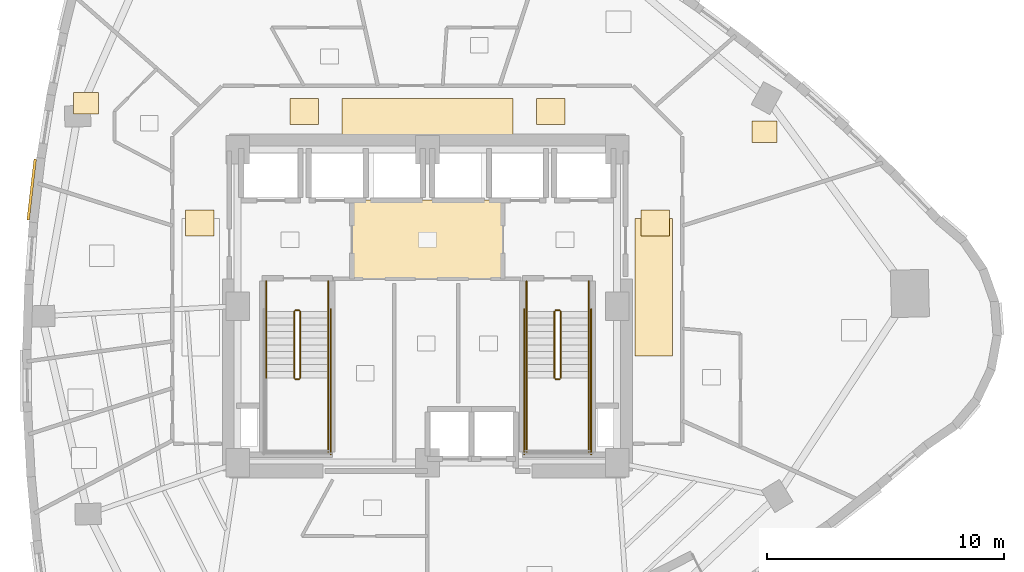
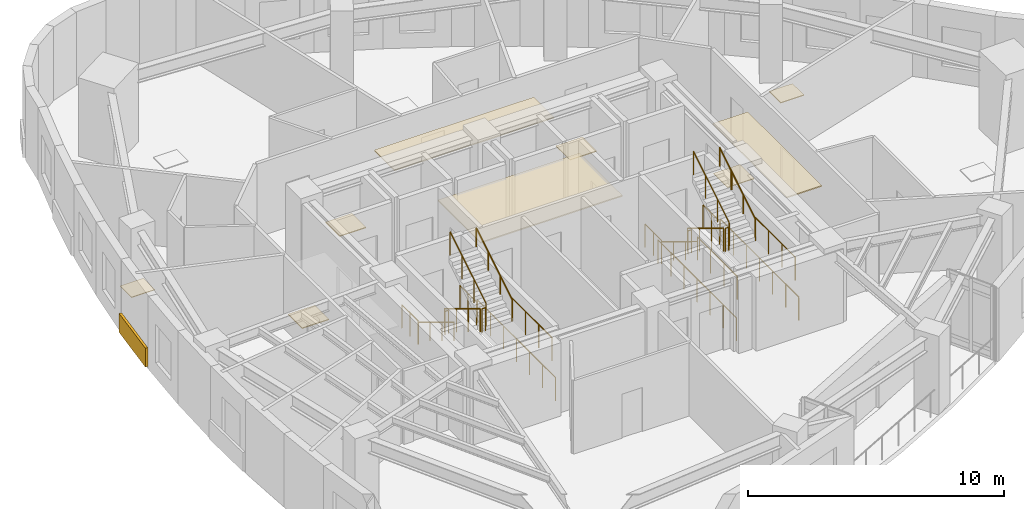
# One storey, part 10 of 11: 22 railings, 10 coverings.
"""IFC4 building model written with IfcOpenShell, lengths in metres."""

from ifc_helpers import new_model, si_unit, direction, frame, origin, origin_2d, place, context, subcontext, project, spatial, rectangle, circle, extrude, material, layer, layer_set, type_object, element, save


model = new_model("IFC4")

# Units and contexts
model_context = context("Model", 3, precision=1e-05, world=origin(), true_north=direction((0.0, 1.0)))
body_context = subcontext(model_context, "Body", "Model", "MODEL_VIEW")
ifc_project = project(units=[si_unit("LENGTHUNIT", "METRE"), si_unit("AREAUNIT", "SQUARE_METRE"), si_unit("VOLUMEUNIT", "CUBIC_METRE"), si_unit("PLANEANGLEUNIT", "RADIAN"), si_unit("MASSUNIT", "GRAM", prefix="KILO")], contexts=[model_context])

# Site, building, storey
site_placement = place(None, origin())
site = spatial("IfcSite", under=ifc_project, at=site_placement, CompositionType="ELEMENT")
building_placement = place(site_placement, origin())
building = spatial("IfcBuilding", under=site, at=building_placement, Name="Ndelora Gate Hotel", CompositionType="ELEMENT")
storey_placement = place(building_placement, frame((0.0, 0.0, 116.0)))
storey = spatial("IfcBuildingStorey", under=building, at=storey_placement, Name="L28", CompositionType="ELEMENT", Elevation=116.0)

# Coverings
ifc_material_1 = material(Name="Perforated Acoustic Gypsum Board", Category="gypsum")
ifc_layer_1 = layer(ifc_material_1, 0.054931640625)
ifc_layer_set_1 = layer_set([ifc_layer_1], Name="Perforated Acoustic Gypsum Board")
covering_type_1 = type_object("IfcCoveringType", Name="COV-CEIL-AC60", PredefinedType="CEILING", material=ifc_layer_set_1)
covering_1_placement = place(storey_placement, frame((0.0, 2.800048828125, 2.72265625), z_axis=(0.0, 0.0, 1.0), x_axis=(1.0, 0.0, 0.0)))
element("IfcCovering", 1, at=covering_1_placement, inside=storey, type_object=covering_type_1, Name="L28 Lift Lobby Acoustic Ceiling", PredefinedType="CEILING", context=body_context, shape_type="SweptSolid", body=[
    extrude(rectangle(XDim=6.39990234375, YDim=3.340087890625, at=origin_2d()), origin(), (0.0, 0.0, 1.0), 0.054931640625),
])
covering_2_placement = place(storey_placement, frame((0.0, 7.9599609375, 2.65234375), z_axis=(0.0, 0.0, 1.0), x_axis=(1.0, 0.0, 0.0)))
element("IfcCovering", 2, at=covering_2_placement, inside=storey, type_object=covering_type_1, Name="L28 Guest Corridor Acoustic Ceiling N", PredefinedType="CEILING", context=body_context, shape_type="SweptSolid", body=[
    extrude(rectangle(XDim=7.199951171875, YDim=1.580078125, at=origin_2d()), origin(), (0.0, 0.0, 1.0), 0.054931640625),
])
covering_3_placement = place(storey_placement, frame((9.550048828125, 0.800048828125, 2.65234375), z_axis=(0.0, 0.0, 1.0), x_axis=(1.0, 0.0, 0.0)))
element("IfcCovering", 3, at=covering_3_placement, inside=storey, type_object=covering_type_1, Name="L28 Guest Corridor Acoustic Ceiling E", PredefinedType="CEILING", context=body_context, shape_type="SweptSolid", body=[
    extrude(rectangle(XDim=1.580078125, YDim=5.800048828125, at=origin_2d()), origin(), (0.0, 0.0, 1.0), 0.054931640625),
])
ifc_material_2 = material(Name="Terracotta Fired Clay Brick Slip Cladding", Category="masonry")
ifc_layer_2 = layer(ifc_material_2, 0.110107421875)
ifc_layer_set_2 = layer_set([ifc_layer_2], Name="Terracotta Fired Clay Brick Slip Cladding")
covering_type_2 = type_object("IfcCoveringType", Name="COV-CLAD-BRK", PredefinedType="CLADDING", material=ifc_layer_set_2)
covering_4_placement = place(storey_placement, frame((-16.6865234375, 4.913330078125, 0.10009765625), z_axis=(0.0, 0.0, 1.0), x_axis=(0.115803987891, 0.993272085779, 0.0)))
element("IfcCovering", 4, at=covering_4_placement, inside=storey, type_object=covering_type_2, Name="L28 Rounded-Corner Brick Cladding Band 13", PredefinedType="CLADDING", context=body_context, shape_type="SweptSolid", body=[
    extrude(rectangle(XDim=2.583984375, YDim=0.110107421875, at=origin_2d()), origin(), (0.0, 0.0, 1.0), 0.89990234375),
])
ifc_material_3 = material(Name="Engineered Highland Oak Parquet", Category="wood")
ifc_layer_3 = layer(ifc_material_3, 0.030029296875)
ifc_layer_set_3 = layer_set([ifc_layer_3], Name="Engineered Highland Oak Parquet")
covering_type_3 = type_object("IfcCoveringType", Name="COV-FLR-PARQ", PredefinedType="FLOORING", material=ifc_layer_set_3)
for number, where, z_axis, x_axis, name in (
    (5, (14.206787109375, 7.356689453125, 0.0), (0.0, 0.0, 1.0), (1.0, 0.0, 0.0), "L28 Executive Study Office Oak Parquet Flooring"),
    (6, (-14.39990234375, 8.55810546875, 0.0), (0.0, 0.0, 1.0), (1.0, 0.0, 0.0), "L28 Club Twin Guest Room 3105 Oak Parquet Flooring"),
):
    element("IfcCovering", number, at=place(storey_placement, frame(where, z_axis=z_axis, x_axis=x_axis)), inside=storey, type_object=covering_type_3, Name=name, PredefinedType="FLOORING", context=body_context, shape_type="SweptSolid", body=[
        extrude(rectangle(XDim=1.050048828125, YDim=0.89990234375, at=origin_2d()), origin(), (0.0, 0.0, 1.0), 0.030029296875),
    ])
ifc_material_4 = material(Name="Polished Highland Stone Terrazzo", Category="masonry")
ifc_layer_4 = layer(ifc_material_4, 0.034912109375)
ifc_layer_set_4 = layer_set([ifc_layer_4], Name="Polished Highland Stone Terrazzo")
covering_type_4 = type_object("IfcCoveringType", Name="COV-FLR-TERZ", PredefinedType="FLOORING", material=ifc_layer_set_4)
for number, where, z_axis, x_axis, name in (
    (7, (-5.199951171875, 8.199951171875, 0.0), (0.0, 0.0, 1.0), (1.0, 0.0, 0.0), "L28 Corridor Threshold Terrazzo Inlay NW"),
    (8, (5.199951171875, 8.199951171875, 0.0), (0.0, 0.0, 1.0), (1.0, 0.0, 0.0), "L28 Corridor Threshold Terrazzo Inlay NE"),
    (9, (-9.60009765625, 3.5, 0.0), (0.0, 0.0, 1.0), (1.0, 0.0, 0.0), "L28 Corridor Threshold Terrazzo Inlay W"),
    (10, (9.60009765625, 3.5, 0.0), (0.0, 0.0, 1.0), (1.0, 0.0, 0.0), "L28 Corridor Threshold Terrazzo Inlay E"),
):
    element("IfcCovering", number, at=place(storey_placement, frame(where, z_axis=z_axis, x_axis=x_axis)), inside=storey, type_object=covering_type_4, Name=name, PredefinedType="FLOORING", context=body_context, shape_type="SweptSolid", body=[
        extrude(rectangle(XDim=1.199951171875, YDim=1.10009765625, at=origin_2d()), origin(), (0.0, 0.0, 1.0), 0.034912109375),
    ])

# Railings
ifc_material_5 = material(Name="Painted Galvanized Steel Balustrade", Category="steel")
ifc_layer_5 = layer(ifc_material_5, 0.06005859375)
ifc_layer_set_5 = layer_set([ifc_layer_5], Name="Painted Galvanized Steel Balustrade")
railing_type_1 = type_object("IfcRailingType", Name="RL-STAIR-GD", PredefinedType="GUARDRAIL", material=ifc_layer_set_5)
railing_1_placement = place(storey_placement, frame((-5.6201171875, -0.22998046875, 0.17041015625)))
element("IfcRailing", 11, at=railing_1_placement, inside=storey, type_object=railing_type_1, Name="L28 ST4 stair guard 1", PredefinedType="GUARDRAIL", context=body_context, shape_type="SweptSolid", body=[
    extrude(circle(Radius=0.02392578125, at=origin_2d()), frame((0.0, 0.0, 1.10595703125), z_axis=(0.0, -0.854169791009, 0.51999420009), x_axis=(1.0, 0.0, 0.0)), (0.0, 0.0, 1.0), 3.278076171875),
    extrude(circle(Radius=0.02099609375, at=origin_2d()), origin(), (0.0, 0.0, 1.0), 1.081787109375),
    extrude(circle(Radius=0.02099609375, at=origin_2d()), frame((0.0, -0.933349609375, 0.568115234375)), (0.0, 0.0, 1.0), 1.081787109375),
    extrude(circle(Radius=0.02099609375, at=origin_2d()), frame((0.0, -1.86669921875, 1.136474609375)), (0.0, 0.0, 1.0), 1.081787109375),
    extrude(circle(Radius=0.02099609375, at=origin_2d()), frame((0.0, -2.800048828125, 1.70458984375)), (0.0, 0.0, 1.0), 1.081787109375),
])
railing_2_placement = place(storey_placement, frame((-5.570068359375, -3.080078125, 1.875)))
element("IfcRailing", 12, at=railing_2_placement, inside=storey, type_object=railing_type_1, Name="L28 ST4 stair guard 2", PredefinedType="GUARDRAIL", context=body_context, shape_type="SweptSolid", body=[
    extrude(circle(Radius=0.02392578125, at=origin_2d()), frame((0.0, 0.0, 1.10595703125), z_axis=(1.0, 0.0, 0.0), x_axis=(0.0, 1.0, 0.0)), (0.0, 0.0, 1.0), 0.16015625),
    extrude(circle(Radius=0.02099609375, at=origin_2d()), origin(), (0.0, 0.0, 1.0), 1.081787109375),
    extrude(circle(Radius=0.02099609375, at=origin_2d()), frame((0.16015625, 0.0, 0.0)), (0.0, 0.0, 1.0), 1.081787109375),
])
railing_3_placement = place(storey_placement, frame((-4.179931640625, -3.030029296875, 1.875)))
element("IfcRailing", 13, at=railing_3_placement, inside=storey, type_object=railing_type_1, Name="L28 ST4 stair guard 4", PredefinedType="GUARDRAIL", context=body_context, shape_type="SweptSolid", body=[
    extrude(circle(Radius=0.02392578125, at=origin_2d()), frame((0.0, 0.0, 1.10595703125), z_axis=(0.0, -1.0, 0.0), x_axis=(1.0, 0.0, 0.0)), (0.0, 0.0, 1.0), 3.119873046875),
    extrude(circle(Radius=0.02099609375, at=origin_2d()), origin(), (0.0, 0.0, 1.0), 1.081787109375),
    extrude(circle(Radius=0.02099609375, at=origin_2d()), frame((0.0, -1.0400390625, 0.0)), (0.0, 0.0, 1.0), 1.081787109375),
    extrude(circle(Radius=0.02099609375, at=origin_2d()), frame((0.0, -2.079833984375, 0.0)), (0.0, 0.0, 1.0), 1.081787109375),
    extrude(circle(Radius=0.02099609375, at=origin_2d()), frame((0.0, -3.119873046875, 0.0)), (0.0, 0.0, 1.0), 1.081787109375),
])
railing_4_placement = place(storey_placement, frame((-5.360107421875, -3.030029296875, 2.04541015625)))
element("IfcRailing", 14, at=railing_4_placement, inside=storey, type_object=railing_type_1, Name="L28 ST4 stair guard 6", PredefinedType="GUARDRAIL", context=body_context, shape_type="SweptSolid", body=[
    extrude(circle(Radius=0.02392578125, at=origin_2d()), frame((0.0, 0.0, 1.10595703125), z_axis=(0.0, 0.854169791009, 0.51999420009), x_axis=(-1.0, 0.0, 0.0)), (0.0, 0.0, 1.0), 3.278076171875),
    extrude(circle(Radius=0.02099609375, at=origin_2d()), origin(), (0.0, 0.0, 1.0), 1.081787109375),
    extrude(circle(Radius=0.02099609375, at=origin_2d()), frame((0.0, 0.933349609375, 0.568115234375)), (0.0, 0.0, 1.0), 1.081787109375),
    extrude(circle(Radius=0.02099609375, at=origin_2d()), frame((0.0, 1.86669921875, 1.136474609375)), (0.0, 0.0, 1.0), 1.081787109375),
    extrude(circle(Radius=0.02099609375, at=origin_2d()), frame((0.0, 2.800048828125, 1.70458984375)), (0.0, 0.0, 1.0), 1.081787109375),
])
railing_5_placement = place(storey_placement, frame((-5.570068359375, -0.179931640625, 0.0)))
element("IfcRailing", 15, at=railing_5_placement, inside=storey, type_object=railing_type_1, Name="L28 ST4 stair guard 7", PredefinedType="GUARDRAIL", context=body_context, shape_type="SweptSolid", body=[
    extrude(circle(Radius=0.02392578125, at=origin_2d()), frame((0.0, 0.0, 1.10595703125), z_axis=(1.0, 0.0, 0.0), x_axis=(0.0, 1.0, 0.0)), (0.0, 0.0, 1.0), 0.16015625),
    extrude(circle(Radius=0.02099609375, at=origin_2d()), origin(), (0.0, 0.0, 1.0), 1.081787109375),
    extrude(circle(Radius=0.02099609375, at=origin_2d()), frame((0.16015625, 0.0, 0.0)), (0.0, 0.0, 1.0), 1.081787109375),
])
for number, where, name in (
    (16, (-6.800048828125, 1.050048828125, 0.0), "L28 ST4 stair guard 8"),
    (17, (-4.179931640625, 1.050048828125, 0.0), "L28 ST4 stair guard 9"),
):
    element("IfcRailing", number, at=place(storey_placement, frame(where)), inside=storey, type_object=railing_type_1, Name=name, PredefinedType="GUARDRAIL", context=body_context, shape_type="SweptSolid", body=[
        extrude(circle(Radius=0.02392578125, at=origin_2d()), frame((0.0, 0.0, 1.10595703125), z_axis=(0.0, -1.0, 0.0), x_axis=(1.0, 0.0, 0.0)), (0.0, 0.0, 1.0), 1.280029296875),
        extrude(circle(Radius=0.02099609375, at=origin_2d()), origin(), (0.0, 0.0, 1.0), 1.081787109375),
        extrude(circle(Radius=0.02099609375, at=origin_2d()), frame((0.0, -0.64013671875, 0.0)), (0.0, 0.0, 1.0), 1.081787109375),
        extrude(circle(Radius=0.02099609375, at=origin_2d()), frame((0.0, -1.280029296875, 0.0)), (0.0, 0.0, 1.0), 1.081787109375),
    ])
railing_6_placement = place(storey_placement, frame((-4.080078125, -0.1298828125, 0.0)))
element("IfcRailing", 18, at=railing_6_placement, inside=storey, type_object=railing_type_1, Name="L28 ST4 stair guard 11", PredefinedType="GUARDRAIL", context=body_context, shape_type="SweptSolid", body=[
    extrude(circle(Radius=0.02392578125, at=origin_2d()), frame((0.0, 0.0, 1.10595703125), z_axis=(0.0, -1.0, 0.0), x_axis=(1.0, 0.0, 0.0)), (0.0, 0.0, 1.0), 6.1201171875),
    extrude(circle(Radius=0.02099609375, at=origin_2d()), origin(), (0.0, 0.0, 1.0), 1.081787109375),
    extrude(circle(Radius=0.02099609375, at=origin_2d()), frame((0.0, -1.02001953125, 0.0)), (0.0, 0.0, 1.0), 1.081787109375),
    extrude(circle(Radius=0.02099609375, at=origin_2d()), frame((0.0, -2.0400390625, 0.0)), (0.0, 0.0, 1.0), 1.081787109375),
    extrude(circle(Radius=0.02099609375, at=origin_2d()), frame((0.0, -3.06005859375, 0.0)), (0.0, 0.0, 1.0), 1.081787109375),
    extrude(circle(Radius=0.02099609375, at=origin_2d()), frame((0.0, -4.080078125, 0.0)), (0.0, 0.0, 1.0), 1.081787109375),
    extrude(circle(Radius=0.02099609375, at=origin_2d()), frame((0.0, -5.10009765625, 0.0)), (0.0, 0.0, 1.0), 1.081787109375),
    extrude(circle(Radius=0.02099609375, at=origin_2d()), frame((0.0, -6.1201171875, 0.0)), (0.0, 0.0, 1.0), 1.081787109375),
])
railing_7_placement = place(storey_placement, frame((5.360107421875, -0.22998046875, 0.17041015625)))
element("IfcRailing", 19, at=railing_7_placement, inside=storey, type_object=railing_type_1, Name="L28 ST5 stair guard 1", PredefinedType="GUARDRAIL", context=body_context, shape_type="SweptSolid", body=[
    extrude(circle(Radius=0.02392578125, at=origin_2d()), frame((0.0, 0.0, 1.10595703125), z_axis=(0.0, -0.854169791009, 0.51999420009), x_axis=(1.0, 0.0, 0.0)), (0.0, 0.0, 1.0), 3.278076171875),
    extrude(circle(Radius=0.02099609375, at=origin_2d()), origin(), (0.0, 0.0, 1.0), 1.081787109375),
    extrude(circle(Radius=0.02099609375, at=origin_2d()), frame((0.0, -0.933349609375, 0.568115234375)), (0.0, 0.0, 1.0), 1.081787109375),
    extrude(circle(Radius=0.02099609375, at=origin_2d()), frame((0.0, -1.86669921875, 1.136474609375)), (0.0, 0.0, 1.0), 1.081787109375),
    extrude(circle(Radius=0.02099609375, at=origin_2d()), frame((0.0, -2.800048828125, 1.70458984375)), (0.0, 0.0, 1.0), 1.081787109375),
])
railing_8_placement = place(storey_placement, frame((5.409912109375, -3.080078125, 1.875)))
element("IfcRailing", 20, at=railing_8_placement, inside=storey, type_object=railing_type_1, Name="L28 ST5 stair guard 2", PredefinedType="GUARDRAIL", context=body_context, shape_type="SweptSolid", body=[
    extrude(circle(Radius=0.02392578125, at=origin_2d()), frame((0.0, 0.0, 1.10595703125), z_axis=(1.0, 0.0, 0.0), x_axis=(0.0, 1.0, 0.0)), (0.0, 0.0, 1.0), 0.16015625),
    extrude(circle(Radius=0.02099609375, at=origin_2d()), origin(), (0.0, 0.0, 1.0), 1.081787109375),
    extrude(circle(Radius=0.02099609375, at=origin_2d()), frame((0.16015625, 0.0, 0.0)), (0.0, 0.0, 1.0), 1.081787109375),
])
for number, where, name in (
    (21, (4.179931640625, -3.030029296875, 1.875), "L28 ST5 stair guard 3"),
    (22, (6.800048828125, -3.030029296875, 1.875), "L28 ST5 stair guard 4"),
):
    element("IfcRailing", number, at=place(storey_placement, frame(where)), inside=storey, type_object=railing_type_1, Name=name, PredefinedType="GUARDRAIL", context=body_context, shape_type="SweptSolid", body=[
        extrude(circle(Radius=0.02392578125, at=origin_2d()), frame((0.0, 0.0, 1.10595703125), z_axis=(0.0, -1.0, 0.0), x_axis=(1.0, 0.0, 0.0)), (0.0, 0.0, 1.0), 3.119873046875),
        extrude(circle(Radius=0.02099609375, at=origin_2d()), origin(), (0.0, 0.0, 1.0), 1.081787109375),
        extrude(circle(Radius=0.02099609375, at=origin_2d()), frame((0.0, -1.0400390625, 0.0)), (0.0, 0.0, 1.0), 1.081787109375),
        extrude(circle(Radius=0.02099609375, at=origin_2d()), frame((0.0, -2.079833984375, 0.0)), (0.0, 0.0, 1.0), 1.081787109375),
        extrude(circle(Radius=0.02099609375, at=origin_2d()), frame((0.0, -3.119873046875, 0.0)), (0.0, 0.0, 1.0), 1.081787109375),
    ])
railing_9_placement = place(storey_placement, frame((5.6201171875, -3.030029296875, 2.04541015625)))
element("IfcRailing", 23, at=railing_9_placement, inside=storey, type_object=railing_type_1, Name="L28 ST5 stair guard 6", PredefinedType="GUARDRAIL", context=body_context, shape_type="SweptSolid", body=[
    extrude(circle(Radius=0.02392578125, at=origin_2d()), frame((0.0, 0.0, 1.10595703125), z_axis=(0.0, 0.854169791009, 0.51999420009), x_axis=(-1.0, 0.0, 0.0)), (0.0, 0.0, 1.0), 3.278076171875),
    extrude(circle(Radius=0.02099609375, at=origin_2d()), origin(), (0.0, 0.0, 1.0), 1.081787109375),
    extrude(circle(Radius=0.02099609375, at=origin_2d()), frame((0.0, 0.933349609375, 0.568115234375)), (0.0, 0.0, 1.0), 1.081787109375),
    extrude(circle(Radius=0.02099609375, at=origin_2d()), frame((0.0, 1.86669921875, 1.136474609375)), (0.0, 0.0, 1.0), 1.081787109375),
    extrude(circle(Radius=0.02099609375, at=origin_2d()), frame((0.0, 2.800048828125, 1.70458984375)), (0.0, 0.0, 1.0), 1.081787109375),
])
railing_10_placement = place(storey_placement, frame((5.409912109375, -0.179931640625, 0.0)))
element("IfcRailing", 24, at=railing_10_placement, inside=storey, type_object=railing_type_1, Name="L28 ST5 stair guard 7", PredefinedType="GUARDRAIL", context=body_context, shape_type="SweptSolid", body=[
    extrude(circle(Radius=0.02392578125, at=origin_2d()), frame((0.0, 0.0, 1.10595703125), z_axis=(1.0, 0.0, 0.0), x_axis=(0.0, 1.0, 0.0)), (0.0, 0.0, 1.0), 0.16015625),
    extrude(circle(Radius=0.02099609375, at=origin_2d()), origin(), (0.0, 0.0, 1.0), 1.081787109375),
    extrude(circle(Radius=0.02099609375, at=origin_2d()), frame((0.16015625, 0.0, 0.0)), (0.0, 0.0, 1.0), 1.081787109375),
])
for number, where, name in (
    (25, (4.179931640625, 1.050048828125, 0.0), "L28 ST5 stair guard 8"),
    (26, (6.800048828125, 1.050048828125, 0.0), "L28 ST5 stair guard 9"),
):
    element("IfcRailing", number, at=place(storey_placement, frame(where)), inside=storey, type_object=railing_type_1, Name=name, PredefinedType="GUARDRAIL", context=body_context, shape_type="SweptSolid", body=[
        extrude(circle(Radius=0.02392578125, at=origin_2d()), frame((0.0, 0.0, 1.10595703125), z_axis=(0.0, -1.0, 0.0), x_axis=(1.0, 0.0, 0.0)), (0.0, 0.0, 1.0), 1.280029296875),
        extrude(circle(Radius=0.02099609375, at=origin_2d()), origin(), (0.0, 0.0, 1.0), 1.081787109375),
        extrude(circle(Radius=0.02099609375, at=origin_2d()), frame((0.0, -0.64013671875, 0.0)), (0.0, 0.0, 1.0), 1.081787109375),
        extrude(circle(Radius=0.02099609375, at=origin_2d()), frame((0.0, -1.280029296875, 0.0)), (0.0, 0.0, 1.0), 1.081787109375),
    ])
for number, where, name in (
    (27, (4.080078125, -0.1298828125, 0.0), "L28 ST5 stair guard 10"),
    (28, (6.89990234375, -0.1298828125, 0.0), "L28 ST5 stair guard 11"),
):
    element("IfcRailing", number, at=place(storey_placement, frame(where)), inside=storey, type_object=railing_type_1, Name=name, PredefinedType="GUARDRAIL", context=body_context, shape_type="SweptSolid", body=[
        extrude(circle(Radius=0.02392578125, at=origin_2d()), frame((0.0, 0.0, 1.10595703125), z_axis=(0.0, -1.0, 0.0), x_axis=(1.0, 0.0, 0.0)), (0.0, 0.0, 1.0), 6.1201171875),
        extrude(circle(Radius=0.02099609375, at=origin_2d()), origin(), (0.0, 0.0, 1.0), 1.081787109375),
        extrude(circle(Radius=0.02099609375, at=origin_2d()), frame((0.0, -1.02001953125, 0.0)), (0.0, 0.0, 1.0), 1.081787109375),
        extrude(circle(Radius=0.02099609375, at=origin_2d()), frame((0.0, -2.0400390625, 0.0)), (0.0, 0.0, 1.0), 1.081787109375),
        extrude(circle(Radius=0.02099609375, at=origin_2d()), frame((0.0, -3.06005859375, 0.0)), (0.0, 0.0, 1.0), 1.081787109375),
        extrude(circle(Radius=0.02099609375, at=origin_2d()), frame((0.0, -4.080078125, 0.0)), (0.0, 0.0, 1.0), 1.081787109375),
        extrude(circle(Radius=0.02099609375, at=origin_2d()), frame((0.0, -5.10009765625, 0.0)), (0.0, 0.0, 1.0), 1.081787109375),
        extrude(circle(Radius=0.02099609375, at=origin_2d()), frame((0.0, -6.1201171875, 0.0)), (0.0, 0.0, 1.0), 1.081787109375),
    ])
ifc_material_6 = material(Name="Brushed Stainless Steel 316", Category="steel")
ifc_layer_6 = layer(ifc_material_6, 0.050048828125)
ifc_layer_set_6 = layer_set([ifc_layer_6], Name="Brushed Stainless Steel 316")
railing_type_2 = type_object("IfcRailingType", Name="RL-STAIR-HR", PredefinedType="HANDRAIL", material=ifc_layer_set_6)
railing_11_placement = place(storey_placement, frame((-6.800048828125, -0.22998046875, 0.17041015625)))
element("IfcRailing", 29, at=railing_11_placement, inside=storey, type_object=railing_type_2, Name="L28 ST4 stair handrail 1", PredefinedType="HANDRAIL", context=body_context, shape_type="SweptSolid", body=[
    extrude(circle(Radius=0.02392578125, at=origin_2d()), frame((0.0, 0.0, 0.8759765625), z_axis=(0.0, -0.854169791009, 0.51999420009), x_axis=(1.0, 0.0, 0.0)), (0.0, 0.0, 1.0), 3.278076171875),
    extrude(circle(Radius=0.02099609375, at=origin_2d()), origin(), (0.0, 0.0, 1.0), 0.851806640625),
    extrude(circle(Radius=0.02099609375, at=origin_2d()), frame((0.0, -0.933349609375, 0.568115234375)), (0.0, 0.0, 1.0), 0.851806640625),
    extrude(circle(Radius=0.02099609375, at=origin_2d()), frame((0.0, -1.86669921875, 1.136474609375)), (0.0, 0.0, 1.0), 0.851806640625),
    extrude(circle(Radius=0.02099609375, at=origin_2d()), frame((0.0, -2.800048828125, 1.70458984375)), (0.0, 0.0, 1.0), 0.851806640625),
])
railing_12_placement = place(storey_placement, frame((-4.179931640625, -3.030029296875, 2.04541015625)))
element("IfcRailing", 30, at=railing_12_placement, inside=storey, type_object=railing_type_2, Name="L28 ST4 stair handrail 2", PredefinedType="HANDRAIL", context=body_context, shape_type="SweptSolid", body=[
    extrude(circle(Radius=0.02392578125, at=origin_2d()), frame((0.0, 0.0, 0.8759765625), z_axis=(0.0, 0.854169791009, 0.51999420009), x_axis=(-1.0, 0.0, 0.0)), (0.0, 0.0, 1.0), 3.278076171875),
    extrude(circle(Radius=0.02099609375, at=origin_2d()), origin(), (0.0, 0.0, 1.0), 0.851806640625),
    extrude(circle(Radius=0.02099609375, at=origin_2d()), frame((0.0, 0.933349609375, 0.568115234375)), (0.0, 0.0, 1.0), 0.851806640625),
    extrude(circle(Radius=0.02099609375, at=origin_2d()), frame((0.0, 1.86669921875, 1.136474609375)), (0.0, 0.0, 1.0), 0.851806640625),
    extrude(circle(Radius=0.02099609375, at=origin_2d()), frame((0.0, 2.800048828125, 1.70458984375)), (0.0, 0.0, 1.0), 0.851806640625),
])
railing_13_placement = place(storey_placement, frame((4.179931640625, -0.22998046875, 0.17041015625)))
element("IfcRailing", 31, at=railing_13_placement, inside=storey, type_object=railing_type_2, Name="L28 ST5 stair handrail 1", PredefinedType="HANDRAIL", context=body_context, shape_type="SweptSolid", body=[
    extrude(circle(Radius=0.02392578125, at=origin_2d()), frame((0.0, 0.0, 0.8759765625), z_axis=(0.0, -0.854169791009, 0.51999420009), x_axis=(1.0, 0.0, 0.0)), (0.0, 0.0, 1.0), 3.278076171875),
    extrude(circle(Radius=0.02099609375, at=origin_2d()), origin(), (0.0, 0.0, 1.0), 0.851806640625),
    extrude(circle(Radius=0.02099609375, at=origin_2d()), frame((0.0, -0.933349609375, 0.568115234375)), (0.0, 0.0, 1.0), 0.851806640625),
    extrude(circle(Radius=0.02099609375, at=origin_2d()), frame((0.0, -1.86669921875, 1.136474609375)), (0.0, 0.0, 1.0), 0.851806640625),
    extrude(circle(Radius=0.02099609375, at=origin_2d()), frame((0.0, -2.800048828125, 1.70458984375)), (0.0, 0.0, 1.0), 0.851806640625),
])
railing_14_placement = place(storey_placement, frame((6.800048828125, -3.030029296875, 2.04541015625)))
element("IfcRailing", 32, at=railing_14_placement, inside=storey, type_object=railing_type_2, Name="L28 ST5 stair handrail 2", PredefinedType="HANDRAIL", context=body_context, shape_type="SweptSolid", body=[
    extrude(circle(Radius=0.02392578125, at=origin_2d()), frame((0.0, 0.0, 0.8759765625), z_axis=(0.0, 0.854169791009, 0.51999420009), x_axis=(-1.0, 0.0, 0.0)), (0.0, 0.0, 1.0), 3.278076171875),
    extrude(circle(Radius=0.02099609375, at=origin_2d()), origin(), (0.0, 0.0, 1.0), 0.851806640625),
    extrude(circle(Radius=0.02099609375, at=origin_2d()), frame((0.0, 0.933349609375, 0.568115234375)), (0.0, 0.0, 1.0), 0.851806640625),
    extrude(circle(Radius=0.02099609375, at=origin_2d()), frame((0.0, 1.86669921875, 1.136474609375)), (0.0, 0.0, 1.0), 0.851806640625),
    extrude(circle(Radius=0.02099609375, at=origin_2d()), frame((0.0, 2.800048828125, 1.70458984375)), (0.0, 0.0, 1.0), 0.851806640625),
])

save(model, "model.ifc")
